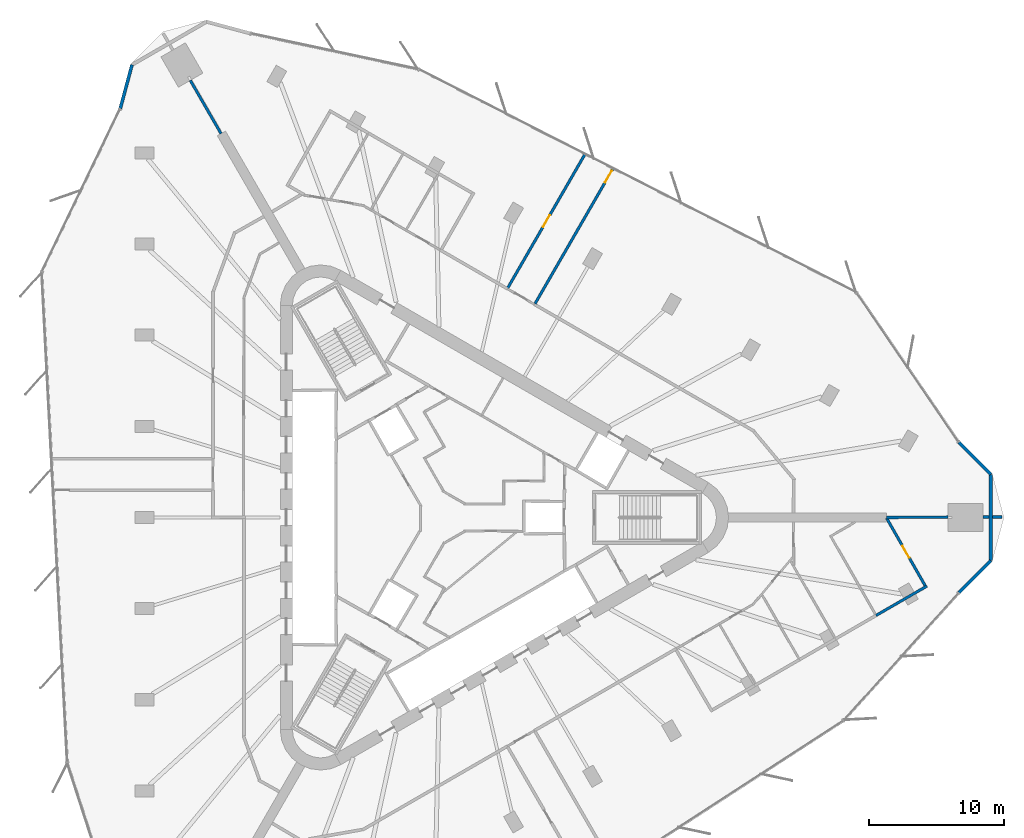
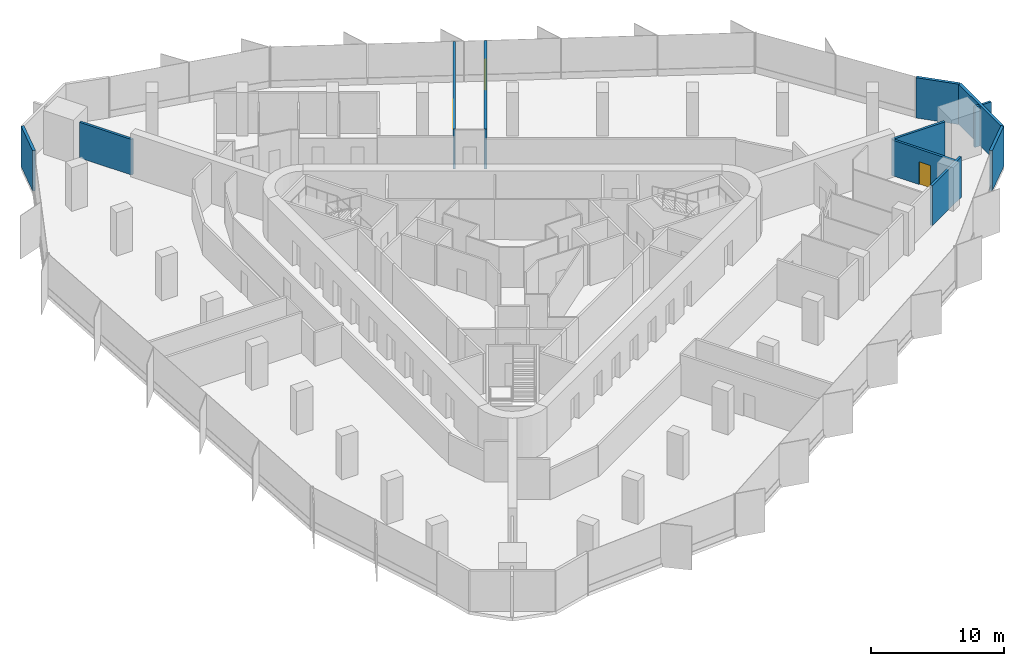
# One storey, part 12 of 14: 12 walls, 3 doors, 3 openings.
"""IFC4 building model written with IfcOpenShell, lengths in metres."""

from ifc_helpers import new_model, si_unit, direction, frame, frame_2d, origin, place, context, subcontext, project, spatial, rectangle, extrude, material, layer, layer_set, type_object, element, fill, save


model = new_model("IFC4")

# Units and contexts
model_context = context("Model", 3, precision=1e-05, world=origin(), true_north=direction((0.0, 1.0)))
body_context = subcontext(model_context, "Body", "Model", "MODEL_VIEW")
ifc_project = project(units=[si_unit("LENGTHUNIT", "METRE"), si_unit("AREAUNIT", "SQUARE_METRE"), si_unit("VOLUMEUNIT", "CUBIC_METRE"), si_unit("PLANEANGLEUNIT", "RADIAN"), si_unit("MASSUNIT", "GRAM", prefix="KILO")], contexts=[model_context])

# Site, building, storey
site_placement = place(None, origin())
site = spatial("IfcSite", under=ifc_project, at=site_placement, CompositionType="ELEMENT")
building_placement = place(site_placement, origin())
building = spatial("IfcBuilding", under=site, at=building_placement, Name="Tanit Gate Tower", CompositionType="ELEMENT")
storey_placement = place(building_placement, frame((0.0, 0.0, 205.199951171875)))
storey = spatial("IfcBuildingStorey", under=building, at=storey_placement, Name="L45", CompositionType="ELEMENT", Elevation=205.199951171875)

# Walls
ifc_material_1 = material(Name="Concrete C30/37 with bronze anodised aluminium cladding", Category="concrete")
ifc_layer_1 = layer(ifc_material_1, 0.239990234375)
ifc_layer_set_1 = layer_set([ifc_layer_1], Name="Facade wall bronze clad 240")
wall_type_1 = type_object("IfcWallType", Name="Facade wall bronze clad 240", PredefinedType="SOLIDWALL", material=ifc_layer_set_1)
wall_1_placement = place(storey_placement, frame((-23.114013671875, 33.626220703125, 0.0), z_axis=(0.0, 0.0, 1.0), x_axis=(-0.258824439285, -0.965924380906, 0.0)))
element("IfcWall", 1, at=wall_1_placement, inside=storey, type_object=wall_type_1, Name="Bronze-clad facade wall L45 NW.arc3", PredefinedType="SOLIDWALL", context=body_context, shape_type="SweptSolid", body=[
    extrude(rectangle(XDim=3.36083984375, YDim=0.239990234375, at=frame_2d((1.680419921875, 0.0))), origin(), (0.0, 0.0, 1.0), 3.699951171875),
])
wall_2_placement = place(storey_placement, frame((38.3076171875, -5.574951171875, 0.0), z_axis=(0.0, 0.0, 1.0), x_axis=(0.707106781187, 0.707106781187, 0.0)))
element("IfcWall", 2, at=wall_2_placement, inside=storey, type_object=wall_type_1, Name="Bronze-clad facade wall L45 E.arc1", PredefinedType="SOLIDWALL", context=body_context, shape_type="SweptSolid", body=[
    extrude(rectangle(XDim=3.3525390625, YDim=0.239990234375, at=frame_2d((1.67626953125, 0.0))), origin(), (0.0, 0.0, 1.0), 3.699951171875),
])
wall_3_placement = place(storey_placement, frame((40.67822265625, -3.204345703125, 0.0), z_axis=(0.0, 0.0, 1.0), x_axis=(0.0, 1.0, 0.0)))
element("IfcWall", 3, at=wall_3_placement, inside=storey, type_object=wall_type_1, Name="Bronze-clad facade wall L45 E.arc2", PredefinedType="SOLIDWALL", context=body_context, shape_type="SweptSolid", body=[
    extrude(rectangle(XDim=6.40869140625, YDim=0.239990234375, at=frame_2d((3.204345703125, 0.0))), origin(), (0.0, 0.0, 1.0), 3.699951171875),
])
wall_4_placement = place(storey_placement, frame((40.67822265625, 3.204345703125, 0.0), z_axis=(0.0, 0.0, 1.0), x_axis=(-0.707106781187, 0.707106781187, 0.0)))
element("IfcWall", 4, at=wall_4_placement, inside=storey, type_object=wall_type_1, Name="Bronze-clad facade wall L45 E.arc3", PredefinedType="SOLIDWALL", context=body_context, shape_type="SweptSolid", body=[
    extrude(rectangle(XDim=3.36083984375, YDim=0.239990234375, at=frame_2d((1.680419921875, 0.0))), origin(), (0.0, 0.0, 1.0), 3.699951171875),
])
ifc_material_2 = material(Name="Fire-rated gypsum board partition")
ifc_layer_2 = layer(ifc_material_2, 0.199951171875)
ifc_layer_set_2 = layer_set([ifc_layer_2], Name="INT-WALL-COMPARTMENT")
wall_type_2 = type_object("IfcWallType", Name="INT-WALL-COMPARTMENT", PredefinedType="PARTITIONING", material=ifc_layer_set_2)
wall_5_placement = place(storey_placement, frame((-16.498046875, 28.515380859375, 0.0), z_axis=(0.0, 0.0, 1.0), x_axis=(-0.499997018584, 0.866027125099, 0.0)))
element("IfcWall", 5, at=wall_5_placement, inside=storey, type_object=wall_type_2, Name="Wall Compartment W124", PredefinedType="PARTITIONING", context=body_context, shape_type="SweptSolid", body=[
    extrude(rectangle(XDim=4.56689453125, YDim=0.199951171875, at=frame_2d((2.283447265625, 0.0))), origin(), (0.0, 0.0, 1.0), 3.27001953125),
])

# Wall, opening, door
wall_6_placement = place(storey_placement, frame((6.822021484375, 15.8759765625, 0.0), z_axis=(0.0, 0.0, 1.0), x_axis=(0.499996172356, 0.866027613664, 0.0)))
wall_6 = element("IfcWall", 6, at=wall_6_placement, inside=storey, type_object=wall_type_2, Name="Wall Compartment W125", PredefinedType="PARTITIONING", context=body_context, shape_type="SweptSolid", body=[
    extrude(rectangle(XDim=11.60693359375, YDim=0.199951171875, at=frame_2d((5.803466796875, 0.0))), origin(), (0.0, 0.0, 1.0), 3.699951171875),
])
opening_1_placement = place(wall_6_placement, frame((10.406982421875, 0.0, 0.0)))
opening_1 = element("IfcOpeningElement", 7, at=opening_1_placement, cuts=wall_6, Name="Opening F10-S12-32", PredefinedType="OPENING", context=body_context, shape_type="SweptSolid", body=[
    extrude(rectangle(XDim=1.0, YDim=2.10009765625, at=frame_2d((0.5, 1.050048828125))), frame((0.0, 0.10986328125, 0.0), z_axis=(0.0, -1.0, 0.0), x_axis=(1.0, 0.0, 0.0)), (0.0, 0.0, 1.0), 0.219970703125),
])
ifc_material_3 = material(Name="Fire-rated steel door leaf", Category="steel")
door_type = type_object("IfcDoorType", Name="INT-DOOR-FIRE-1000", OperationType="NOTDEFINED", PredefinedType="USERDEFINED", material=ifc_material_3)
door_1_placement = place(opening_1_placement, origin())
door_1 = element("IfcDoor", 8, at=door_1_placement, inside=storey, type_object=door_type, Name="Door F10-S12-32", ObjectType="FIRE DOOR", OperationType="SINGLE_SWING_LEFT", OverallHeight=2.10009765625, OverallWidth=1.0, PredefinedType="USERDEFINED", context=body_context, shape_type="SweptSolid", body=[
    extrude(rectangle(XDim=1.0, YDim=2.10009765625, at=frame_2d((0.5, 1.050048828125))), frame((0.0, 0.02490234375, 0.0), z_axis=(0.0, -1.0, 0.0), x_axis=(1.0, 0.0, 0.0)), (0.0, 0.0, 1.0), 0.050048828125),
])
fill(opening_1, door_1)

wall_7_placement = place(storey_placement, frame((10.5380859375, 26.992431640625, 0.0), z_axis=(0.0, 0.0, 1.0), x_axis=(-0.500002753014, -0.866023814325, 0.0)))
wall_7 = element("IfcWall", 9, at=wall_7_placement, inside=storey, type_object=wall_type_2, Name="Wall Compartment W126", PredefinedType="PARTITIONING", context=body_context, shape_type="SweptSolid", body=[
    extrude(rectangle(XDim=11.4853515625, YDim=0.199951171875, at=frame_2d((5.74267578125, 0.0))), origin(), (0.0, 0.0, 1.0), 3.699951171875),
])
opening_2_placement = place(wall_7_placement, frame((5.24267578125, 0.0, 0.0)))
opening_2 = element("IfcOpeningElement", 10, at=opening_2_placement, cuts=wall_7, Name="Opening F10-S12-33", PredefinedType="OPENING", context=body_context, shape_type="SweptSolid", body=[
    extrude(rectangle(XDim=1.0, YDim=2.10009765625, at=frame_2d((0.5, 1.050048828125))), frame((0.0, 0.10986328125, 0.0), z_axis=(0.0, -1.0, 0.0), x_axis=(1.0, 0.0, 0.0)), (0.0, 0.0, 1.0), 0.219970703125),
])
door_2_placement = place(opening_2_placement, origin())
door_2 = element("IfcDoor", 11, at=door_2_placement, inside=storey, type_object=door_type, Name="Door F10-S12-33", ObjectType="FIRE DOOR", OperationType="SINGLE_SWING_LEFT", OverallHeight=2.10009765625, OverallWidth=1.0, PredefinedType="USERDEFINED", context=body_context, shape_type="SweptSolid", body=[
    extrude(rectangle(XDim=1.0, YDim=2.10009765625, at=frame_2d((0.5, 1.050048828125))), frame((0.0, 0.02490234375, 0.0), z_axis=(0.0, -1.0, 0.0), x_axis=(1.0, 0.0, 0.0)), (0.0, 0.0, 1.0), 0.050048828125),
])
fill(opening_2, door_2)

# Walls
wall_8_placement = place(storey_placement, frame((32.94384765625, 0.00048828125, 0.0), z_axis=(0.0, 0.0, 1.0), x_axis=(0.999979082064, 0.006468031696, 0.0)))
element("IfcWall", 12, at=wall_8_placement, inside=storey, type_object=wall_type_2, Name="Wall Compartment W127", PredefinedType="PARTITIONING", context=body_context, shape_type="SweptSolid", body=[
    extrude(rectangle(XDim=4.567138671875, YDim=0.199951171875, at=frame_2d((2.28369140625, 0.0))), origin(), (0.0, 0.0, 1.0), 3.27001953125),
])
wall_9_placement = place(storey_placement, frame((40.111083984375, 0.030029296875, 0.0), z_axis=(0.0, 0.0, 1.0), x_axis=(1.0, 0.0, 0.0)))
element("IfcWall", 13, at=wall_9_placement, inside=storey, type_object=wall_type_2, Name="Wall Compartment W128", PredefinedType="PARTITIONING", context=body_context, shape_type="SweptSolid", body=[
    extrude(rectangle(XDim=0.447021484375, YDim=0.199951171875, at=frame_2d((0.2236328125, 0.0))), origin(), (0.0, 0.0, 1.0), 3.699951171875),
])
wall_10_placement = place(storey_placement, frame((40.798095703125, 0.030029296875, 0.0), z_axis=(0.0, 0.0, 1.0), x_axis=(1.0, 0.0, 0.0)))
element("IfcWall", 14, at=wall_10_placement, inside=storey, type_object=wall_type_2, Name="Wall Compartment W128x1", PredefinedType="PARTITIONING", context=body_context, shape_type="SweptSolid", body=[
    extrude(rectangle(XDim=0.730712890625, YDim=0.199951171875, at=frame_2d((0.365234375, 0.0))), origin(), (0.0, 0.0, 1.0), 3.699951171875),
])
wall_11_placement = place(storey_placement, frame((35.936767578125, -5.09423828125, 0.0), z_axis=(0.0, 0.0, 1.0), x_axis=(-0.866036659782, -0.499980503534, 0.0)))
element("IfcWall", 15, at=wall_11_placement, inside=storey, type_object=wall_type_2, Name="Wall Compartment W143", PredefinedType="PARTITIONING", context=body_context, shape_type="SweptSolid", body=[
    extrude(rectangle(XDim=4.367919921875, YDim=0.199951171875, at=frame_2d((2.18408203125, 0.0))), origin(), (0.0, 0.0, 1.0), 3.699951171875),
])

# Wall, opening, door
wall_12_placement = place(storey_placement, frame((35.800537109375, -5.057373046875, 0.0), z_axis=(0.0, 0.0, 1.0), x_axis=(-0.495623394513, 0.868537535637, 0.0)))
wall_12 = element("IfcWall", 16, at=wall_12_placement, inside=storey, type_object=wall_type_2, Name="Wall Compartment W144", PredefinedType="PARTITIONING", context=body_context, shape_type="SweptSolid", body=[
    extrude(rectangle(XDim=5.763916015625, YDim=0.199951171875, at=frame_2d((2.8818359375, 0.0))), origin(), (0.0, 0.0, 1.0), 3.27001953125),
])
opening_3_placement = place(wall_12_placement, frame((2.3818359375, 0.0, 0.0)))
opening_3 = element("IfcOpeningElement", 17, at=opening_3_placement, cuts=wall_12, Name="Opening F10-S12-29", PredefinedType="OPENING", context=body_context, shape_type="SweptSolid", body=[
    extrude(rectangle(XDim=1.0, YDim=2.10009765625, at=frame_2d((0.5, 1.050048828125))), frame((0.0, 0.10986328125, 0.0), z_axis=(0.0, -1.0, 0.0), x_axis=(1.0, 0.0, 0.0)), (0.0, 0.0, 1.0), 0.219970703125),
])
door_3_placement = place(opening_3_placement, origin())
door_3 = element("IfcDoor", 18, at=door_3_placement, inside=storey, type_object=door_type, Name="Door F10-S12-29", ObjectType="FIRE DOOR", OperationType="SINGLE_SWING_LEFT", OverallHeight=2.10009765625, OverallWidth=1.0, PredefinedType="USERDEFINED", context=body_context, shape_type="SweptSolid", body=[
    extrude(rectangle(XDim=1.0, YDim=2.10009765625, at=frame_2d((0.5, 1.050048828125))), frame((0.0, 0.02490234375, 0.0), z_axis=(0.0, -1.0, 0.0), x_axis=(1.0, 0.0, 0.0)), (0.0, 0.0, 1.0), 0.050048828125),
])
fill(opening_3, door_3)

save(model, "model.ifc")
